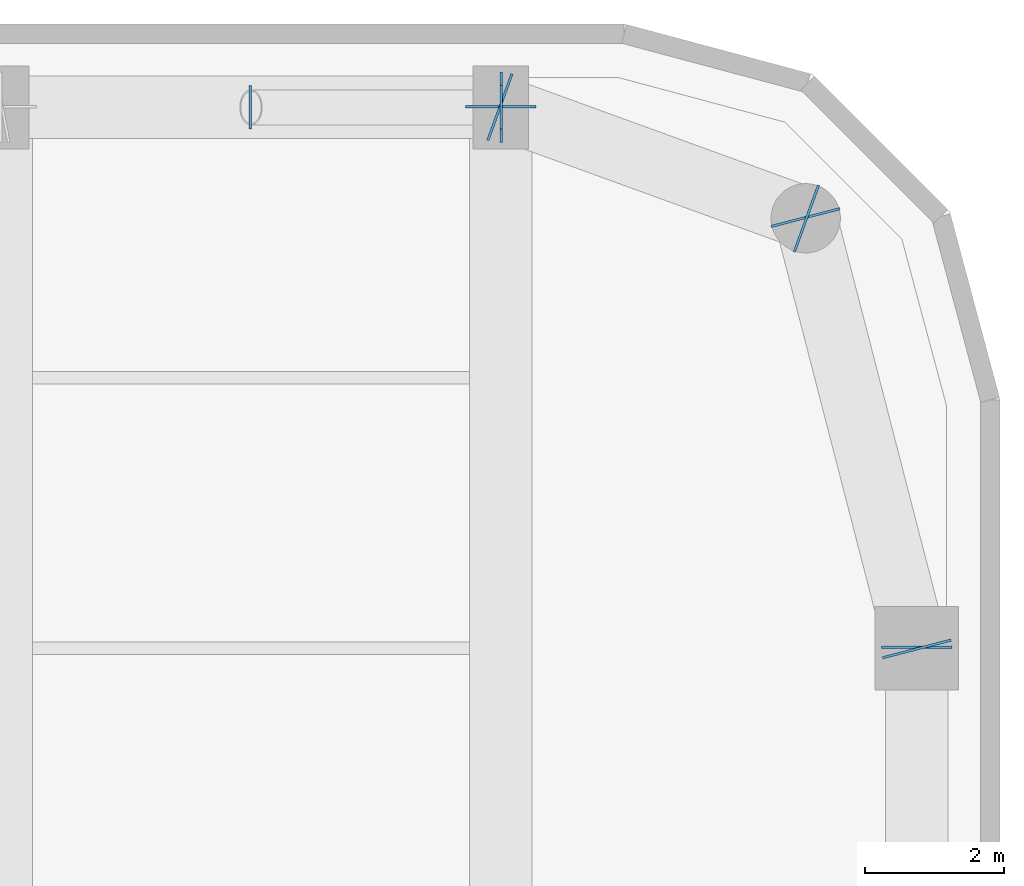
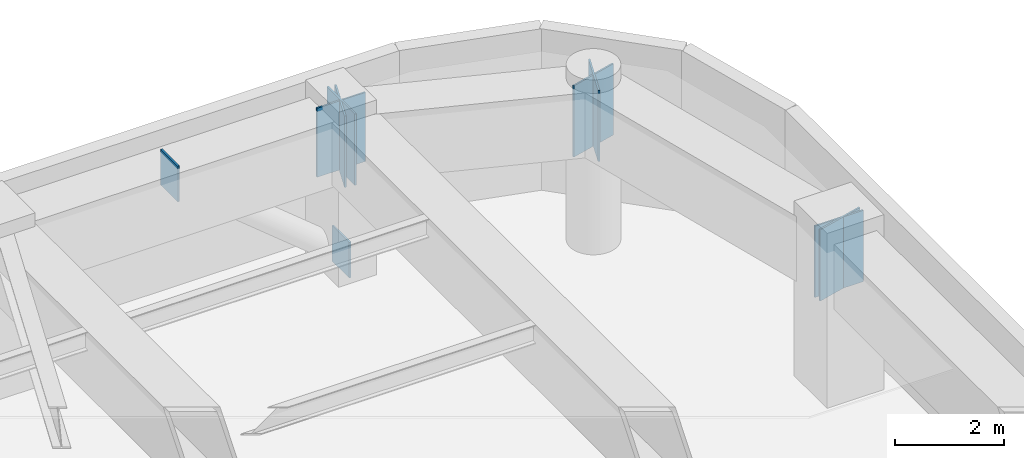
# One storey, part 23 of 30: 9 plates.
"""IFC4 building model written with IfcOpenShell, lengths in metres."""

from ifc_helpers import new_model, si_unit, direction, frame, origin, origin_2d, place, context, subcontext, project, spatial, rectangle, extrude, material, layer, layer_set, type_object, element, save


model = new_model("IFC4")

# Units and contexts
model_context = context("Model", 3, precision=1e-05, world=origin(), true_north=direction((0.0, 1.0)))
body_context = subcontext(model_context, "Body", "Model", "MODEL_VIEW")
ifc_project = project(units=[si_unit("LENGTHUNIT", "METRE"), si_unit("AREAUNIT", "SQUARE_METRE"), si_unit("VOLUMEUNIT", "CUBIC_METRE"), si_unit("PLANEANGLEUNIT", "RADIAN"), si_unit("MASSUNIT", "GRAM", prefix="KILO")], contexts=[model_context])

# Site, building, storey
site_placement = place(None, origin())
site = spatial("IfcSite", under=ifc_project, at=site_placement, CompositionType="ELEMENT")
building_placement = place(site_placement, origin())
building = spatial("IfcBuilding", under=site, at=building_placement, Name="Kiyonajd Concourse Tower", CompositionType="ELEMENT")
storey_placement = place(building_placement, frame((0.0, 0.0, 205.800048828125)))
storey = spatial("IfcBuildingStorey", under=building, at=storey_placement, Name="L52", CompositionType="ELEMENT", Elevation=205.800048828125)

# Plates
ifc_material = material(Name="Steel ASTM A572 Grade 50", Category="steel")
ifc_layer_1 = layer(ifc_material, 0.028076171875)
ifc_layer_set_1 = layer_set([ifc_layer_1], Name="Steel ASTM A572 Grade 50")
plate_type_1 = type_object("IfcPlateType", Name="PL-CAP-450", PredefinedType="USERDEFINED", material=ifc_layer_set_1)
for number, where, z_axis, x_axis, name in (
    (1, (63.6083984375, 61.199951171875, -0.10546875), (0.0, 0.0, 1.0), (1.0, 0.0, 0.0), "L52 Hollow Brace End Cap Plate PBN"),
    (2, (59.991455078125, 61.199951171875, 2.8583984375), (0.0, 0.0, 1.0), (-1.0, 0.0, 0.0), "L52 Hollow Brace Top Cap Plate PBN"),
):
    element("IfcPlate", number, at=place(storey_placement, frame(where, z_axis=z_axis, x_axis=x_axis)), inside=storey, type_object=plate_type_1, Name=name, ObjectType="CAP PLATE", PredefinedType="USERDEFINED", context=body_context, shape_type="SweptSolid", body=[
        extrude(rectangle(XDim=0.035888671875, YDim=0.6279296875, at=origin_2d()), origin(), (0.0, 0.0, 1.0), 0.797119140625),
    ])
ifc_layer_2 = layer(ifc_material, 0.031982421875)
ifc_layer_set_2 = layer_set([ifc_layer_2], Name="Steel ASTM A572 Grade 50")
plate_type_2 = type_object("IfcPlateType", Name="PL-CAP-540", PredefinedType="USERDEFINED", material=ifc_layer_set_2)
for number, where, z_axis, x_axis, name in (
    (3, (69.60009765625, 53.410888671875, 2.080078125), (0.0, 0.0, 1.0), (0.0, 1.0, 0.0), "L52 Welded Box Girder End Cap"),
    (4, (69.602783203125, 53.389404296875, 2.080078125), (0.0, 0.0, 1.0), (0.249873048837, -0.968278606324, 0.0), "L52 Welded Box Girder End Cap"),
    (5, (67.997314453125, 59.610595703125, 2.080078125), (0.0, 0.0, 1.0), (-0.249873048837, 0.968278606324, 0.0), "L52 Welded Box Girder End Cap"),
    (6, (68.01025390625, 59.59619140625, 2.080078125), (0.0, 0.0, 1.0), (0.939811951086, -0.341692107891, 0.0), "L52 Welded Box Girder End Cap"),
    (7, (63.589599609375, 61.203857421875, 2.080078125), (0.0, 0.0, 1.0), (-0.939811951086, 0.341692107891, 0.0), "L52 Welded Box Girder End Cap"),
    (8, (63.611083984375, 61.199951171875, 2.080078125), (0.0, 0.0, 1.0), (1.0, 0.0, 0.0), "L52 Welded Box Girder End Cap"),
):
    element("IfcPlate", number, at=place(storey_placement, frame(where, z_axis=z_axis, x_axis=x_axis)), inside=storey, type_object=plate_type_2, Name=name, ObjectType="CAP PLATE", PredefinedType="USERDEFINED", context=body_context, shape_type="SweptSolid", body=[
        extrude(rectangle(XDim=0.035888671875, YDim=1.02001953125, at=origin_2d()), origin(), (0.0, 0.0, 1.0), 1.590087890625),
    ])
plate_placement = place(storey_placement, frame((63.60009765625, 61.2109375, 2.1298828125), z_axis=(0.0, 0.0, 1.0), x_axis=(0.0, 1.0, 0.0)))
element("IfcPlate", 9, at=plate_placement, inside=storey, type_object=plate_type_2, Name="L52 Welded Box Girder End Cap", ObjectType="CAP PLATE", PredefinedType="USERDEFINED", context=body_context, shape_type="SweptSolid", body=[
    extrude(rectangle(XDim=0.035888671875, YDim=1.02001953125, at=origin_2d()), origin(), (0.0, 0.0, 1.0), 1.5400390625),
])

save(model, "model.ifc")
